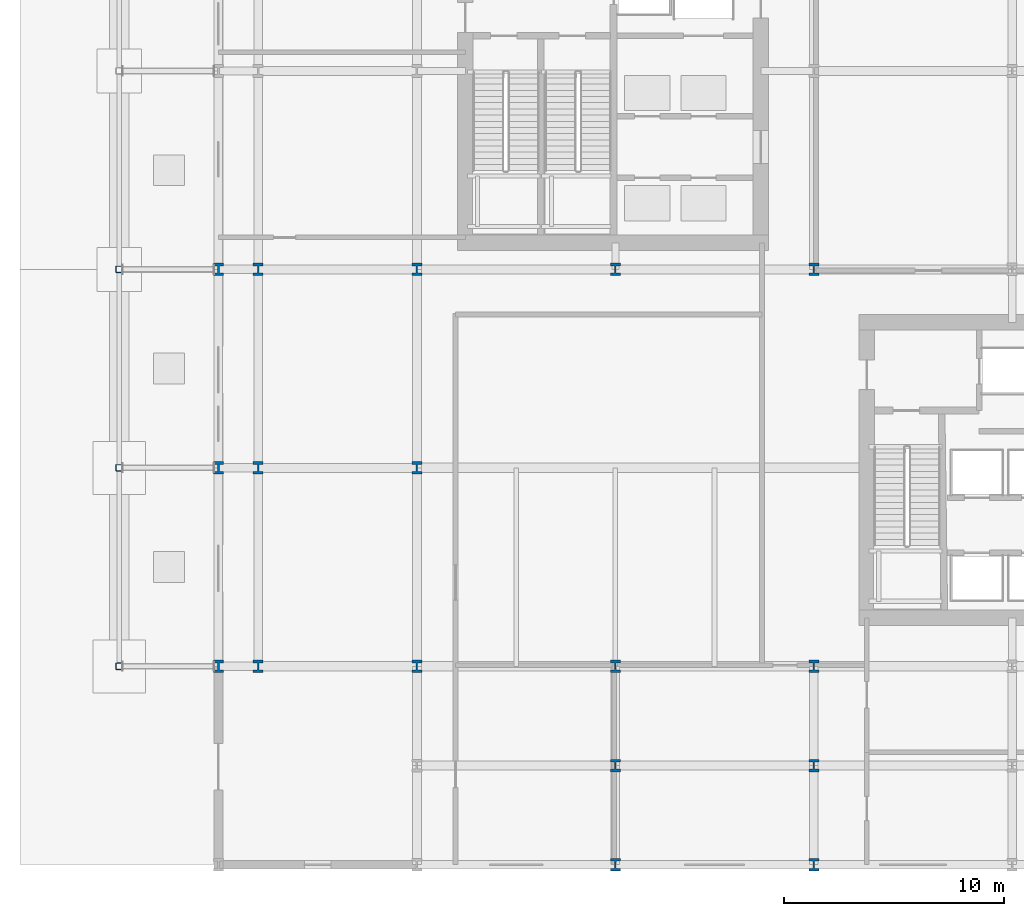
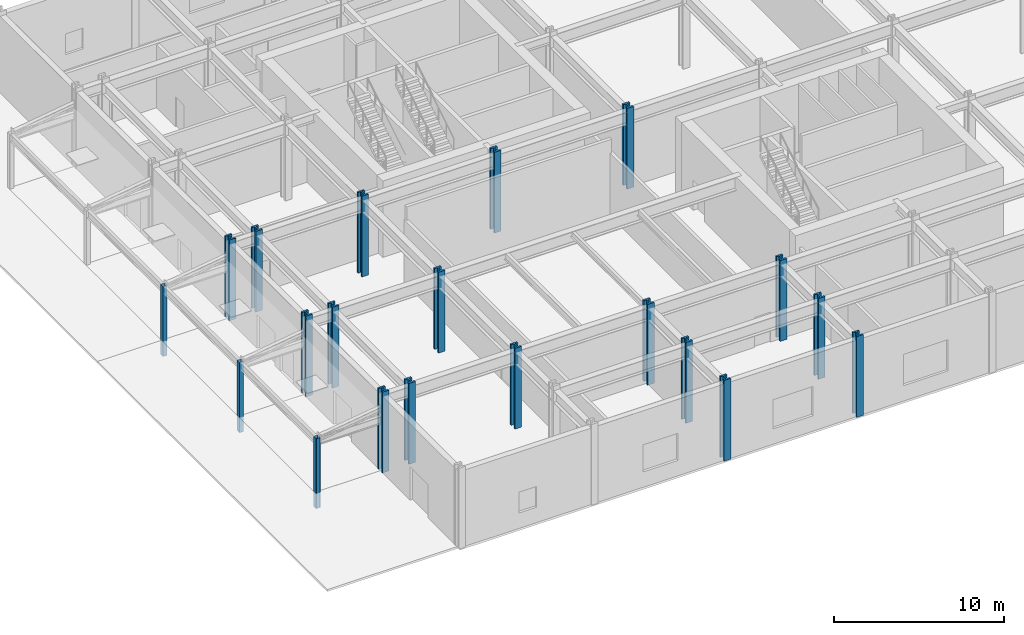
# One storey, part 2 of 19: 20 columns.
"""IFC4 building model written with IfcOpenShell, lengths in metres."""

from ifc_helpers import new_model, si_unit, direction, frame, origin, origin_2d, place, context, subcontext, project, spatial, hollow_rectangle, i_section, extrude, material, material_profile, profile_set, type_object, element, save


model = new_model("IFC4")

# Units and contexts
model_context = context("Model", 3, precision=1e-05, world=origin(), true_north=direction((0.0, 1.0)))
body_context = subcontext(model_context, "Body", "Model", "MODEL_VIEW")
ifc_project = project(units=[si_unit("LENGTHUNIT", "METRE"), si_unit("AREAUNIT", "SQUARE_METRE"), si_unit("VOLUMEUNIT", "CUBIC_METRE"), si_unit("PLANEANGLEUNIT", "RADIAN"), si_unit("MASSUNIT", "GRAM", prefix="KILO")], contexts=[model_context])

# Site, building, storey
site_placement = place(None, origin())
site = spatial("IfcSite", under=ifc_project, at=site_placement, CompositionType="ELEMENT")
building_placement = place(site_placement, origin())
building = spatial("IfcBuilding", under=site, at=building_placement, Name="Solvaryn Broadcast Tower", CompositionType="ELEMENT")
storey_placement = place(building_placement, origin())
storey = spatial("IfcBuildingStorey", under=building, at=storey_placement, Name="L00", CompositionType="ELEMENT", Elevation=0.0)

# Columns
ifc_material_1 = material(Name="Steel ASTM A913 Grade 65", Category="steel")
ifc_material_profile_1 = material_profile(ifc_material_1, i_section(OverallWidth=0.4541015625, OverallDepth=0.569091796875, WebThickness=0.077880859375, FlangeThickness=0.124755859375, FilletRadius=0.014892578125, at=origin_2d()))
ifc_profile_set_1 = profile_set([ifc_material_profile_1], Name="Steel ASTM A913 Grade 65")
column_type_1 = type_object("IfcColumnType", Name="COL-C01E-W14X730", PredefinedType="COLUMN", material=ifc_profile_set_1)
for number, where, z_axis, x_axis, name in (
    (1, (0.0, 9.0, 0.0), (0.0, 0.0, 1.0), (1.0, 0.0, 0.0), "L00 Column (0.0, 9.0)"),
    (2, (0.0, 18.0, 0.0), (0.0, 0.0, 1.0), (1.0, 0.0, 0.0), "L00 Column (0.0, 18.0)"),
    (3, (0.0, 27.0, 0.0), (0.0, 0.0, 1.0), (1.0, 0.0, 0.0), "L00 Column (0.0, 27.0)"),
    (4, (18.0, 0.0, 0.0), (0.0, 0.0, 1.0), (1.0, 0.0, 0.0), "L00 Column (18.0, 0.0)"),
    (5, (27.0, 0.0, 0.0), (0.0, 0.0, 1.0), (1.0, 0.0, 0.0), "L00 Column (27.0, 0.0)"),
    (6, (1.800048828125, 9.0, 0.0), (0.0, 0.0, 1.0), (1.0, 0.0, 0.0), "L00 Column (1.8, 9.0)"),
    (7, (1.800048828125, 18.0, 0.0), (0.0, 0.0, 1.0), (1.0, 0.0, 0.0), "L00 Column (1.8, 18.0)"),
    (8, (1.800048828125, 27.0, 0.0), (0.0, 0.0, 1.0), (1.0, 0.0, 0.0), "L00 Column (1.8, 27.0)"),
):
    element("IfcColumn", number, at=place(storey_placement, frame(where, z_axis=z_axis, x_axis=x_axis)), inside=storey, type_object=column_type_1, Name=name, PredefinedType="COLUMN", context=body_context, shape_type="SweptSolid", body=[
        extrude(i_section(OverallWidth=0.4541015625, OverallDepth=0.569091796875, WebThickness=0.077880859375, FlangeThickness=0.124755859375, FilletRadius=0.014892578125, at=origin_2d()), origin(), (0.0, 0.0, 1.0), 5.800048828125),
    ])
ifc_material_2 = material(Name="Steel ASTM A913 Grade 65", Category="steel")
ifc_material_profile_2 = material_profile(ifc_material_2, i_section(OverallWidth=0.4541015625, OverallDepth=0.569091796875, WebThickness=0.077880859375, FlangeThickness=0.124755859375, FilletRadius=0.014892578125, at=origin_2d()))
ifc_profile_set_2 = profile_set([ifc_material_profile_2], Name="Steel ASTM A913 Grade 65")
column_type_2 = type_object("IfcColumnType", Name="COL-C01I-W14X730", PredefinedType="COLUMN", material=ifc_profile_set_2)
for number, where, z_axis, x_axis, name in (
    (9, (9.0, 9.0, 0.0), (0.0, 0.0, 1.0), (1.0, 0.0, 0.0), "L00 Column (9.0, 9.0)"),
    (10, (9.0, 18.0, 0.0), (0.0, 0.0, 1.0), (1.0, 0.0, 0.0), "L00 Column (9.0, 18.0)"),
    (11, (9.0, 27.0, 0.0), (0.0, 0.0, 1.0), (1.0, 0.0, 0.0), "L00 Column (9.0, 27.0)"),
    (12, (18.0, 9.0, 0.0), (0.0, 0.0, 1.0), (1.0, 0.0, 0.0), "L00 Column (18.0, 9.0)"),
    (13, (18.0, 27.0, 0.0), (0.0, 0.0, 1.0), (1.0, 0.0, 0.0), "L00 Column (18.0, 27.0)"),
    (14, (27.0, 9.0, 0.0), (0.0, 0.0, 1.0), (1.0, 0.0, 0.0), "L00 Column (27.0, 9.0)"),
    (15, (27.0, 27.0, 0.0), (0.0, 0.0, 1.0), (1.0, 0.0, 0.0), "L00 Column (27.0, 27.0)"),
    (16, (18.0, 4.5, 0.0), (0.0, 0.0, 1.0), (1.0, 0.0, 0.0), "L00 Column (18.0, 4.5)"),
    (17, (27.0, 4.5, 0.0), (0.0, 0.0, 1.0), (1.0, 0.0, 0.0), "L00 Column (27.0, 4.5)"),
):
    element("IfcColumn", number, at=place(storey_placement, frame(where, z_axis=z_axis, x_axis=x_axis)), inside=storey, type_object=column_type_2, Name=name, PredefinedType="COLUMN", context=body_context, shape_type="SweptSolid", body=[
        extrude(i_section(OverallWidth=0.4541015625, OverallDepth=0.569091796875, WebThickness=0.077880859375, FlangeThickness=0.124755859375, FilletRadius=0.014892578125, at=origin_2d()), origin(), (0.0, 0.0, 1.0), 5.800048828125),
    ])
ifc_material_3 = material(Name="Steel ASTM A500 Grade C", Category="steel")
ifc_material_profile_3 = material_profile(ifc_material_3, hollow_rectangle(XDim=0.300048828125, YDim=0.300048828125, WallThickness=0.01416015625, InnerFilletRadius=0.01416015625, OuterFilletRadius=0.0283203125, at=origin_2d()))
ifc_profile_set_3 = profile_set([ifc_material_profile_3], Name="Steel ASTM A500 Grade C")
column_type_3 = type_object("IfcColumnType", Name="COL-CANOPY-HSS", PredefinedType="COLUMN", material=ifc_profile_set_3)
for number, where, z_axis, x_axis, name in (
    (18, (-4.5, 9.0, -1.10009765625), (0.0, 0.0, 1.0), (1.0, 0.0, 0.0), "West Canopy Column 1"),
    (19, (-4.5, 18.0, -1.10009765625), (0.0, 0.0, 1.0), (1.0, 0.0, 0.0), "West Canopy Column 2"),
    (20, (-4.5, 27.0, -1.10009765625), (0.0, 0.0, 1.0), (1.0, 0.0, 0.0), "West Canopy Column 3"),
):
    element("IfcColumn", number, at=place(storey_placement, frame(where, z_axis=z_axis, x_axis=x_axis)), inside=storey, type_object=column_type_3, Name=name, PredefinedType="COLUMN", context=body_context, shape_type="SweptSolid", body=[
        extrude(hollow_rectangle(XDim=0.300048828125, YDim=0.300048828125, WallThickness=0.01416015625, InnerFilletRadius=0.01416015625, OuterFilletRadius=0.0283203125, at=origin_2d()), origin(), (0.0, 0.0, 1.0), 5.030029296875),
    ])

save(model, "model.ifc")
